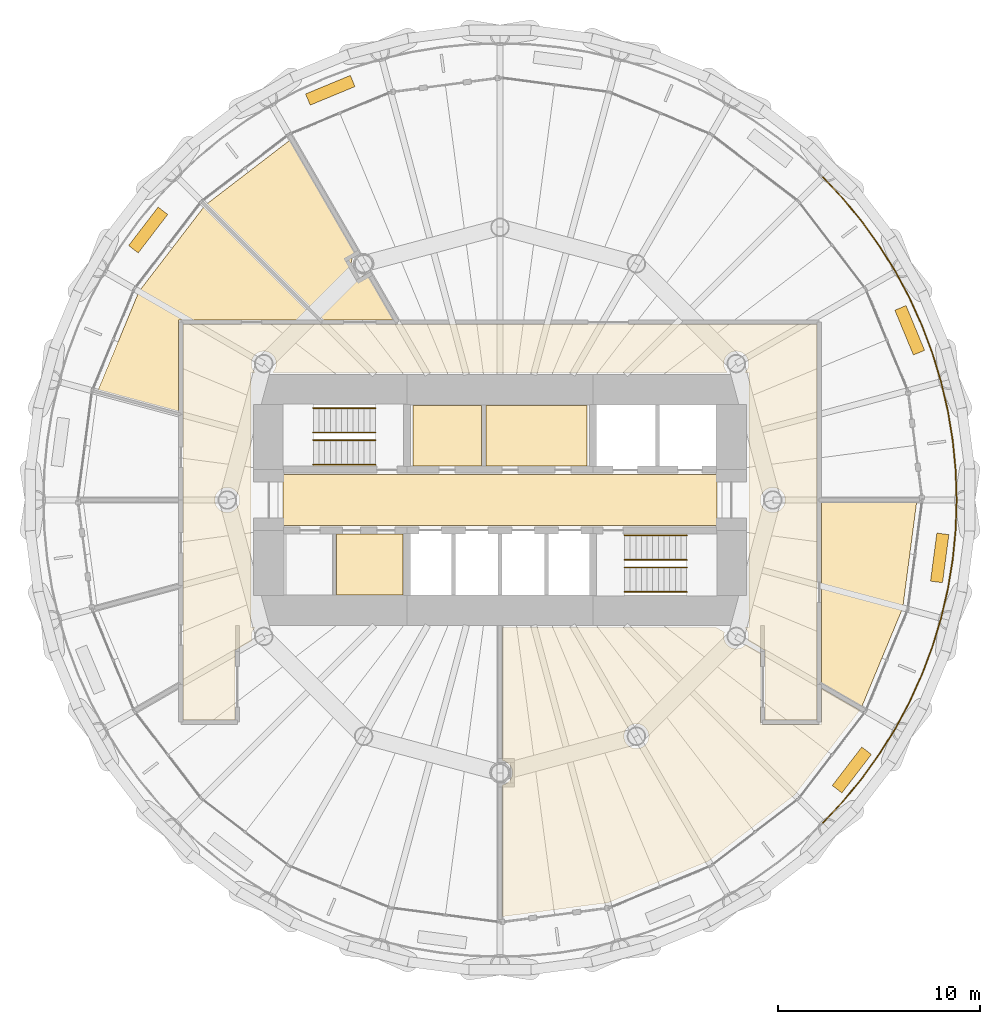
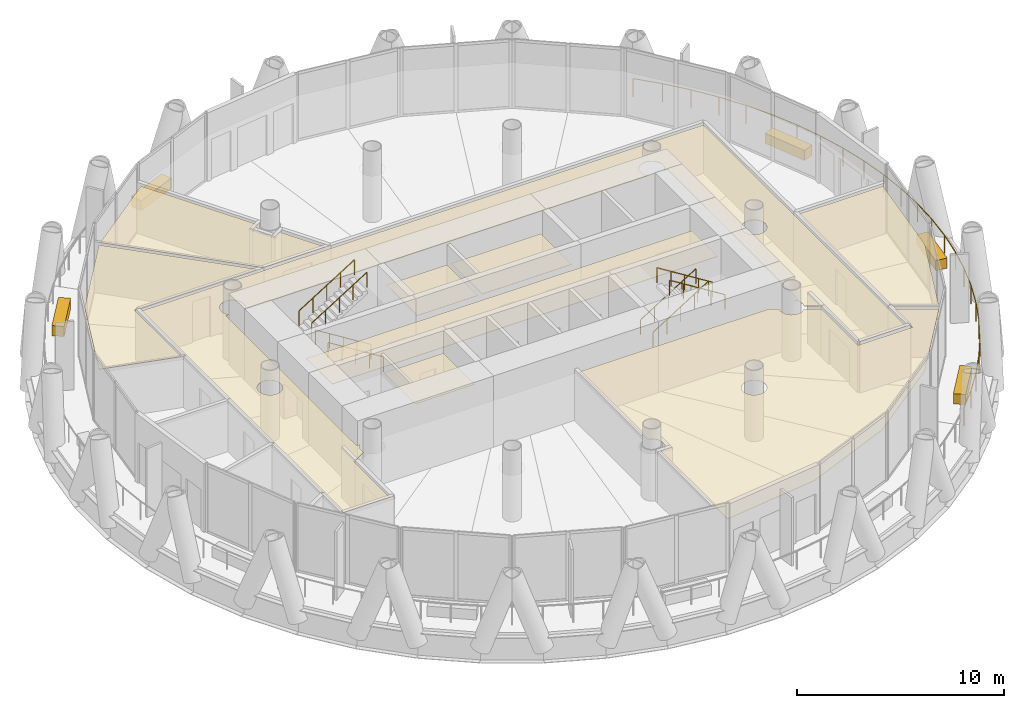
# One storey, part 13 of 14: 14 coverings, 9 railings.
"""IFC4 building model written with IfcOpenShell, lengths in metres."""

from ifc_helpers import new_model, si_unit, direction, frame, origin, origin_2d, place, context, subcontext, project, spatial, polyline, rectangle, circle, outline, extrude, material, layer, layer_set, type_object, element, save


model = new_model("IFC4")

# Units and contexts
model_context = context("Model", 3, precision=1e-05, world=origin(), true_north=direction((0.0, 1.0)))
body_context = subcontext(model_context, "Body", "Model", "MODEL_VIEW")
ifc_project = project(units=[si_unit("LENGTHUNIT", "METRE"), si_unit("AREAUNIT", "SQUARE_METRE"), si_unit("VOLUMEUNIT", "CUBIC_METRE"), si_unit("PLANEANGLEUNIT", "RADIAN"), si_unit("MASSUNIT", "GRAM", prefix="KILO")], contexts=[model_context])

# Site, building, storey
site_placement = place(None, origin())
site = spatial("IfcSite", under=ifc_project, at=site_placement, CompositionType="ELEMENT")
building_placement = place(site_placement, origin())
building = spatial("IfcBuilding", under=site, at=building_placement, Name="Qaws Media Tower", CompositionType="ELEMENT")
storey_placement = place(building_placement, frame((0.0, 0.0, 206.60009765625)))
storey = spatial("IfcBuildingStorey", under=building, at=storey_placement, Name="L47", CompositionType="ELEMENT", Elevation=206.60009765625)

# Covering
ifc_material_1 = material(Name="40 perforated acoustic panels with mineral wool backing, suspended", Category="mineral fibre")
ifc_layer_1 = layer(ifc_material_1, 0.0400390625)
ifc_layer_set_1 = layer_set([ifc_layer_1], Name="Acoustic panel ceiling 40")
covering_type_1 = type_object("IfcCoveringType", Name="Acoustic panel ceiling 40", PredefinedType="CEILING", material=ifc_layer_set_1)
covering_1_placement = place(storey_placement, frame((0.0, 0.0, 2.849853515625)))
element("IfcCovering", 1, at=covering_1_placement, inside=storey, type_object=covering_type_1, Name="CL3 ceiling L47-04 Meeting room", PredefinedType="CEILING", context=body_context, shape_type="SweptSolid", body=[
    extrude(outline(polyline([(42.12939453125, 60.317626953125), (45.339599609375, 64.501220703125), (50.928466796875, 58.91259765625), (44.08740234375, 58.91259765625), (44.08740234375, 54.380126953125), (40.111328125, 55.445556640625), (42.12939453125, 60.317626953125)])), origin(), (0.0, 0.0, 1.0), 0.0400390625),
])

# Railing
ifc_material_2 = material(Name="Stainless steel and glass guard", Category="steel")
railing_type_1 = type_object("IfcRailingType", Name="Balcony guard 1100", PredefinedType="GUARDRAIL", material=ifc_material_2)
railing_placement = place(storey_placement, frame((75.980712890625, 34.019287109375, 0.0)))
element("IfcRailing", 2, at=railing_placement, inside=storey, type_object=railing_type_1, Name="GR1 balcony guard L47-4", PredefinedType="GUARDRAIL", context=body_context, shape_type="SweptSolid", body=[
    extrude(circle(Radius=0.02392578125, at=origin_2d()), frame((0.0, 0.0, 1.076171875), z_axis=(0.683534708636, 0.729918010526, 0.0), x_axis=(-0.729918010526, 0.683534708636, 0.0)), (0.0, 0.0, 1.0), 1.47900390625),
    extrude(circle(Radius=0.02392578125, at=origin_2d()), frame((1.010986328125, 1.07958984375, 1.076171875), z_axis=(0.6343520334, 0.773044305148, 0.0), x_axis=(-0.773044305148, 0.6343520334, 0.0)), (0.0, 0.0, 1.0), 1.478759765625),
    extrude(circle(Radius=0.02392578125, at=origin_2d()), frame((1.948974609375, 2.22265625, 1.076171875), z_axis=(0.582533482314, 0.812806706409, 0.0), x_axis=(-0.812806706409, 0.582533482314, 0.0)), (0.0, 0.0, 1.0), 1.47900390625),
    extrude(circle(Radius=0.02392578125, at=origin_2d()), frame((2.810546875, 3.4248046875, 1.076171875), z_axis=(0.528098236808, 0.849183285446, 0.0), x_axis=(-0.849183285446, 0.528098236808, 0.0)), (0.0, 0.0, 1.0), 1.47900390625),
    extrude(circle(Radius=0.02392578125, at=origin_2d()), frame((3.591552734375, 4.6806640625, 1.076171875), z_axis=(0.471282079795, 0.881982540226, 0.0), x_axis=(-0.881982540226, 0.471282079795, 0.0)), (0.0, 0.0, 1.0), 1.47900390625),
    extrude(circle(Radius=0.02392578125, at=origin_2d()), frame((4.28857421875, 5.985107421875, 1.076171875), z_axis=(0.412745358615, 0.910846457391, 0.0), x_axis=(-0.910846457391, 0.412745358615, 0.0)), (0.0, 0.0, 1.0), 1.478759765625),
    extrude(circle(Radius=0.02392578125, at=origin_2d()), frame((4.89892578125, 7.33203125, 1.076171875), z_axis=(0.352299138469, 0.935887448914, 0.0), x_axis=(-0.935887448914, 0.352299138469, 0.0)), (0.0, 0.0, 1.0), 1.478759765625),
    extrude(circle(Radius=0.02392578125, at=origin_2d()), frame((5.419921875, 8.716064453125, 1.076171875), z_axis=(0.290208982449, 0.956963294231, 0.0), x_axis=(-0.956963294231, 0.290208982449, 0.0)), (0.0, 0.0, 1.0), 1.47900390625),
    extrude(circle(Radius=0.02392578125, at=origin_2d()), frame((5.84912109375, 10.13134765625, 1.076171875), z_axis=(0.227125254792, 0.973865554702, 0.0), x_axis=(-0.973865554702, 0.227125254792, 0.0)), (0.0, 0.0, 1.0), 1.47900390625),
    extrude(circle(Radius=0.02392578125, at=origin_2d()), frame((6.18505859375, 11.57177734375, 1.076171875), z_axis=(0.162953075722, 0.986633820175, 0.0), x_axis=(-0.986633820175, 0.162953075722, 0.0)), (0.0, 0.0, 1.0), 1.478759765625),
    extrude(circle(Radius=0.02392578125, at=origin_2d()), frame((6.426025390625, 13.03076171875, 1.076171875), z_axis=(0.097885589811, 0.995197674488, 0.0), x_axis=(-0.995197674488, 0.097885589811, 0.0)), (0.0, 0.0, 1.0), 1.47900390625),
    extrude(circle(Radius=0.02392578125, at=origin_2d()), frame((6.57080078125, 14.502685546875, 1.076171875), z_axis=(0.032853085257, 0.999460191698, 0.0), x_axis=(-0.999460191698, 0.032853085257, 0.0)), (0.0, 0.0, 1.0), 1.478759765625),
    extrude(circle(Radius=0.02392578125, at=origin_2d()), frame((6.619384765625, 15.980712890625, 1.076171875), z_axis=(-0.032853085257, 0.999460191698, 0.0), x_axis=(-0.999460191698, -0.032853085257, 0.0)), (0.0, 0.0, 1.0), 1.478759765625),
    extrude(circle(Radius=0.02392578125, at=origin_2d()), frame((6.57080078125, 17.458740234375, 1.076171875), z_axis=(-0.097885589811, 0.995197674488, 0.0), x_axis=(-0.995197674488, -0.097885589811, 0.0)), (0.0, 0.0, 1.0), 1.47900390625),
    extrude(circle(Radius=0.02392578125, at=origin_2d()), frame((6.426025390625, 18.9306640625, 1.076171875), z_axis=(-0.162953075722, 0.986633820175, 0.0), x_axis=(-0.986633820175, -0.162953075722, 0.0)), (0.0, 0.0, 1.0), 1.478759765625),
    extrude(circle(Radius=0.02392578125, at=origin_2d()), frame((6.18505859375, 20.3896484375, 1.076171875), z_axis=(-0.227125254792, 0.973865554702, 0.0), x_axis=(-0.973865554702, -0.227125254792, 0.0)), (0.0, 0.0, 1.0), 1.47900390625),
    extrude(circle(Radius=0.02392578125, at=origin_2d()), frame((5.84912109375, 21.830078125, 1.076171875), z_axis=(-0.290208982449, 0.956963294231, 0.0), x_axis=(-0.956963294231, -0.290208982449, 0.0)), (0.0, 0.0, 1.0), 1.47900390625),
    extrude(circle(Radius=0.02392578125, at=origin_2d()), frame((5.419921875, 23.245361328125, 1.076171875), z_axis=(-0.352299138469, 0.935887448914, 0.0), x_axis=(-0.935887448914, -0.352299138469, 0.0)), (0.0, 0.0, 1.0), 1.478759765625),
    extrude(circle(Radius=0.02392578125, at=origin_2d()), frame((4.89892578125, 24.62939453125, 1.076171875), z_axis=(-0.412745358615, 0.910846457391, 0.0), x_axis=(-0.910846457391, -0.412745358615, 0.0)), (0.0, 0.0, 1.0), 1.478759765625),
    extrude(circle(Radius=0.02392578125, at=origin_2d()), frame((4.28857421875, 25.976318359375, 1.076171875), z_axis=(-0.471282079795, 0.881982540226, 0.0), x_axis=(-0.881982540226, -0.471282079795, 0.0)), (0.0, 0.0, 1.0), 1.47900390625),
    extrude(circle(Radius=0.02392578125, at=origin_2d()), frame((3.591552734375, 27.28076171875, 1.076171875), z_axis=(-0.528098236808, 0.849183285446, 0.0), x_axis=(-0.849183285446, -0.528098236808, 0.0)), (0.0, 0.0, 1.0), 1.47900390625),
    extrude(circle(Radius=0.02392578125, at=origin_2d()), frame((2.810546875, 28.53662109375, 1.076171875), z_axis=(-0.582533482314, 0.812806706409, 0.0), x_axis=(-0.812806706409, -0.582533482314, 0.0)), (0.0, 0.0, 1.0), 1.47900390625),
    extrude(circle(Radius=0.02392578125, at=origin_2d()), frame((1.948974609375, 29.73876953125, 1.076171875), z_axis=(-0.6343520334, 0.773044305148, 0.0), x_axis=(-0.773044305148, -0.6343520334, 0.0)), (0.0, 0.0, 1.0), 1.478759765625),
    extrude(circle(Radius=0.02392578125, at=origin_2d()), frame((1.010986328125, 30.8818359375, 1.076171875), z_axis=(-0.683534708636, 0.729918010526, 0.0), x_axis=(-0.729918010526, -0.683534708636, 0.0)), (0.0, 0.0, 1.0), 1.47900390625),
    extrude(circle(Radius=0.02099609375, at=origin_2d()), origin(), (0.0, 0.0, 1.0), 1.052001953125),
    extrude(circle(Radius=0.02099609375, at=origin_2d()), frame((1.010986328125, 1.07958984375, 0.0)), (0.0, 0.0, 1.0), 1.052001953125),
    extrude(circle(Radius=0.02099609375, at=origin_2d()), frame((1.948974609375, 2.22265625, 0.0)), (0.0, 0.0, 1.0), 1.052001953125),
    extrude(circle(Radius=0.02099609375, at=origin_2d()), frame((2.810546875, 3.4248046875, 0.0)), (0.0, 0.0, 1.0), 1.052001953125),
    extrude(circle(Radius=0.02099609375, at=origin_2d()), frame((3.591552734375, 4.6806640625, 0.0)), (0.0, 0.0, 1.0), 1.052001953125),
    extrude(circle(Radius=0.02099609375, at=origin_2d()), frame((4.28857421875, 5.985107421875, 0.0)), (0.0, 0.0, 1.0), 1.052001953125),
    extrude(circle(Radius=0.02099609375, at=origin_2d()), frame((4.89892578125, 7.33203125, 0.0)), (0.0, 0.0, 1.0), 1.052001953125),
    extrude(circle(Radius=0.02099609375, at=origin_2d()), frame((5.419921875, 8.716064453125, 0.0)), (0.0, 0.0, 1.0), 1.052001953125),
    extrude(circle(Radius=0.02099609375, at=origin_2d()), frame((5.84912109375, 10.13134765625, 0.0)), (0.0, 0.0, 1.0), 1.052001953125),
    extrude(circle(Radius=0.02099609375, at=origin_2d()), frame((6.18505859375, 11.57177734375, 0.0)), (0.0, 0.0, 1.0), 1.052001953125),
    extrude(circle(Radius=0.02099609375, at=origin_2d()), frame((6.426025390625, 13.03076171875, 0.0)), (0.0, 0.0, 1.0), 1.052001953125),
    extrude(circle(Radius=0.02099609375, at=origin_2d()), frame((6.57080078125, 14.502685546875, 0.0)), (0.0, 0.0, 1.0), 1.052001953125),
    extrude(circle(Radius=0.02099609375, at=origin_2d()), frame((6.619384765625, 15.980712890625, 0.0)), (0.0, 0.0, 1.0), 1.052001953125),
    extrude(circle(Radius=0.02099609375, at=origin_2d()), frame((6.57080078125, 17.458740234375, 0.0)), (0.0, 0.0, 1.0), 1.052001953125),
    extrude(circle(Radius=0.02099609375, at=origin_2d()), frame((6.426025390625, 18.9306640625, 0.0)), (0.0, 0.0, 1.0), 1.052001953125),
    extrude(circle(Radius=0.02099609375, at=origin_2d()), frame((6.18505859375, 20.3896484375, 0.0)), (0.0, 0.0, 1.0), 1.052001953125),
    extrude(circle(Radius=0.02099609375, at=origin_2d()), frame((5.84912109375, 21.830078125, 0.0)), (0.0, 0.0, 1.0), 1.052001953125),
    extrude(circle(Radius=0.02099609375, at=origin_2d()), frame((5.419921875, 23.245361328125, 0.0)), (0.0, 0.0, 1.0), 1.052001953125),
    extrude(circle(Radius=0.02099609375, at=origin_2d()), frame((4.89892578125, 24.62939453125, 0.0)), (0.0, 0.0, 1.0), 1.052001953125),
    extrude(circle(Radius=0.02099609375, at=origin_2d()), frame((4.28857421875, 25.976318359375, 0.0)), (0.0, 0.0, 1.0), 1.052001953125),
    extrude(circle(Radius=0.02099609375, at=origin_2d()), frame((3.591552734375, 27.28076171875, 0.0)), (0.0, 0.0, 1.0), 1.052001953125),
    extrude(circle(Radius=0.02099609375, at=origin_2d()), frame((2.810546875, 28.53662109375, 0.0)), (0.0, 0.0, 1.0), 1.052001953125),
    extrude(circle(Radius=0.02099609375, at=origin_2d()), frame((1.948974609375, 29.73876953125, 0.0)), (0.0, 0.0, 1.0), 1.052001953125),
    extrude(circle(Radius=0.02099609375, at=origin_2d()), frame((1.010986328125, 30.8818359375, 0.0)), (0.0, 0.0, 1.0), 1.052001953125),
    extrude(circle(Radius=0.02099609375, at=origin_2d()), frame((0.0, 31.96142578125, 0.0)), (0.0, 0.0, 1.0), 1.052001953125),
])

# Coverings
ifc_material_3 = material(Name="600 x 600 mineral fibre tiles in exposed grid, suspended", Category="mineral fibre")
ifc_layer_2 = layer(ifc_material_3, 0.02001953125)
ifc_layer_set_2 = layer_set([ifc_layer_2], Name="Mineral fibre tile ceiling 20")
covering_type_2 = type_object("IfcCoveringType", Name="Mineral fibre tile ceiling 20", PredefinedType="CEILING", material=ifc_layer_set_2)
covering_2_placement = place(storey_placement, frame((0.0, 0.0, 2.849853515625)))
element("IfcCovering", 3, at=covering_2_placement, inside=storey, type_object=covering_type_2, Name="CL1 ceiling L47-C07 Ladies toilets", PredefinedType="CEILING", context=body_context, shape_type="SweptSolid", body=[
    extrude(outline(polyline([(55.695068359375, 51.695068359375), (55.695068359375, 54.679931640625), (59.075439453125, 54.679931640625), (59.075439453125, 51.695068359375), (55.695068359375, 51.695068359375)])), origin(), (0.0, 0.0, 1.0), 0.02001953125),
])
covering_3_placement = place(storey_placement, frame((0.0, 0.0, 2.849853515625)))
element("IfcCovering", 4, at=covering_3_placement, inside=storey, type_object=covering_type_2, Name="CL1 ceiling L47-C08 Gents toilets", PredefinedType="CEILING", context=body_context, shape_type="SweptSolid", body=[
    extrude(outline(polyline([(59.3154296875, 51.695068359375), (59.3154296875, 54.679931640625), (64.304931640625, 54.679931640625), (64.304931640625, 51.695068359375), (59.3154296875, 51.695068359375)])), origin(), (0.0, 0.0, 1.0), 0.02001953125),
])
covering_4_placement = place(storey_placement, frame((0.0, 0.0, 2.849853515625)))
element("IfcCovering", 5, at=covering_4_placement, inside=storey, type_object=covering_type_2, Name="CL1 ceiling L47-01 Corridor", PredefinedType="CEILING", context=body_context, shape_type="SweptSolid", body=[
    extrude(outline(polyline([(44.3125, 39.112548828125), (44.3125, 58.6875), (75.6875, 58.6875), (75.6875, 39.112548828125), (73.112548828125, 39.112548828125), (73.112548828125, 42.559326171875), (72.27197265625, 43.044921875), (72.287353515625, 43.09033203125), (72.302978515625, 43.16943359375), (72.308349609375, 43.25), (72.302978515625, 43.33056640625), (72.287353515625, 43.40966796875), (72.261474609375, 43.486083984375), (72.2255859375, 43.55859375), (72.180908203125, 43.62548828125), (72.126220703125, 43.6875), (72.3125, 43.6875), (72.3125, 56.3125), (72.126220703125, 56.3125), (72.180908203125, 56.37451171875), (72.2255859375, 56.44140625), (72.261474609375, 56.513916015625), (72.287353515625, 56.59033203125), (72.302978515625, 56.66943359375), (72.308349609375, 56.75), (72.302978515625, 56.83056640625), (72.287353515625, 56.90966796875), (72.261474609375, 56.986083984375), (72.2255859375, 57.05859375), (72.180908203125, 57.12548828125), (72.127685546875, 57.186279296875), (72.06689453125, 57.239501953125), (71.999755859375, 57.2841796875), (71.927490234375, 57.320068359375), (71.85107421875, 57.345947265625), (71.77197265625, 57.36181640625), (71.69140625, 57.366943359375), (71.61083984375, 57.36181640625), (71.53173828125, 57.345947265625), (71.455078125, 57.320068359375), (71.3828125, 57.2841796875), (71.315673828125, 57.239501953125), (71.255126953125, 57.186279296875), (71.201904296875, 57.12548828125), (71.156982421875, 57.05859375), (71.121337890625, 56.986083984375), (71.095458984375, 56.90966796875), (71.07958984375, 56.83056640625), (71.07421875, 56.75), (71.07958984375, 56.66943359375), (71.095458984375, 56.59033203125), (71.121337890625, 56.513916015625), (71.156982421875, 56.44140625), (71.201904296875, 56.37451171875), (71.25634765625, 56.3125), (48.74365234375, 56.3125), (48.798095703125, 56.37451171875), (48.843017578125, 56.44140625), (48.878662109375, 56.513916015625), (48.904541015625, 56.59033203125), (48.92041015625, 56.66943359375), (48.92578125, 56.75), (48.92041015625, 56.83056640625), (48.904541015625, 56.90966796875), (48.878662109375, 56.986083984375), (48.843017578125, 57.05859375), (48.798095703125, 57.12548828125), (48.744873046875, 57.186279296875), (48.684326171875, 57.239501953125), (48.6171875, 57.2841796875), (48.544921875, 57.320068359375), (48.46826171875, 57.345947265625), (48.38916015625, 57.36181640625), (48.30859375, 57.366943359375), (48.22802734375, 57.36181640625), (48.14892578125, 57.345947265625), (48.072509765625, 57.320068359375), (48.000244140625, 57.2841796875), (47.93310546875, 57.239501953125), (47.872314453125, 57.186279296875), (47.819091796875, 57.12548828125), (47.7744140625, 57.05859375), (47.738525390625, 56.986083984375), (47.712646484375, 56.90966796875), (47.697021484375, 56.83056640625), (47.691650390625, 56.75), (47.697021484375, 56.66943359375), (47.712646484375, 56.59033203125), (47.738525390625, 56.513916015625), (47.7744140625, 56.44140625), (47.819091796875, 56.37451171875), (47.873779296875, 56.3125), (47.6875, 56.3125), (47.6875, 43.6875), (47.873779296875, 43.6875), (47.819091796875, 43.62548828125), (47.7744140625, 43.55859375), (47.738525390625, 43.486083984375), (47.712646484375, 43.40966796875), (47.697021484375, 43.33056640625), (47.691650390625, 43.25), (47.697021484375, 43.16943359375), (47.712646484375, 43.09033203125), (47.72802734375, 43.044921875), (46.887451171875, 42.559326171875), (46.887451171875, 39.112548828125), (44.3125, 39.112548828125)]), holes=[polyline([(47.070068359375, 49.763916015625), (47.095947265625, 49.84033203125), (47.11181640625, 49.91943359375), (47.116943359375, 50.0), (47.11181640625, 50.08056640625), (47.095947265625, 50.15966796875), (47.070068359375, 50.236083984375), (47.0341796875, 50.30859375), (46.989501953125, 50.37548828125), (46.936279296875, 50.436279296875), (46.87548828125, 50.489501953125), (46.80859375, 50.5341796875), (46.736083984375, 50.570068359375), (46.65966796875, 50.595947265625), (46.58056640625, 50.61181640625), (46.5, 50.616943359375), (46.41943359375, 50.61181640625), (46.34033203125, 50.595947265625), (46.263916015625, 50.570068359375), (46.19140625, 50.5341796875), (46.12451171875, 50.489501953125), (46.063720703125, 50.436279296875), (46.010498046875, 50.37548828125), (45.9658203125, 50.30859375), (45.929931640625, 50.236083984375), (45.904052734375, 50.15966796875), (45.88818359375, 50.08056640625), (45.883056640625, 50.0), (45.88818359375, 49.91943359375), (45.904052734375, 49.84033203125), (45.929931640625, 49.763916015625), (45.9658203125, 49.69140625), (46.010498046875, 49.62451171875), (46.063720703125, 49.563720703125), (46.12451171875, 49.510498046875), (46.19140625, 49.4658203125), (46.263916015625, 49.429931640625), (46.34033203125, 49.404052734375), (46.41943359375, 49.38818359375), (46.5, 49.383056640625), (46.58056640625, 49.38818359375), (46.65966796875, 49.404052734375), (46.736083984375, 49.429931640625), (46.80859375, 49.4658203125), (46.87548828125, 49.510498046875), (46.936279296875, 49.563720703125), (46.989501953125, 49.62451171875), (47.0341796875, 49.69140625), (47.070068359375, 49.763916015625)]), polyline([(74.095947265625, 49.84033203125), (74.11181640625, 49.91943359375), (74.116943359375, 50.0), (74.11181640625, 50.08056640625), (74.095947265625, 50.15966796875), (74.070068359375, 50.236083984375), (74.0341796875, 50.30859375), (73.989501953125, 50.37548828125), (73.936279296875, 50.436279296875), (73.87548828125, 50.489501953125), (73.80859375, 50.5341796875), (73.736083984375, 50.570068359375), (73.65966796875, 50.595947265625), (73.58056640625, 50.61181640625), (73.5, 50.616943359375), (73.41943359375, 50.61181640625), (73.34033203125, 50.595947265625), (73.263916015625, 50.570068359375), (73.19140625, 50.5341796875), (73.12451171875, 50.489501953125), (73.063720703125, 50.436279296875), (73.010498046875, 50.37548828125), (72.9658203125, 50.30859375), (72.929931640625, 50.236083984375), (72.904052734375, 50.15966796875), (72.88818359375, 50.08056640625), (72.883056640625, 50.0), (72.88818359375, 49.91943359375), (72.904052734375, 49.84033203125), (72.929931640625, 49.763916015625), (72.9658203125, 49.69140625), (73.010498046875, 49.62451171875), (73.063720703125, 49.563720703125), (73.12451171875, 49.510498046875), (73.19140625, 49.4658203125), (73.263916015625, 49.429931640625), (73.34033203125, 49.404052734375), (73.41943359375, 49.38818359375), (73.5, 49.383056640625), (73.58056640625, 49.38818359375), (73.65966796875, 49.404052734375), (73.736083984375, 49.429931640625), (73.80859375, 49.4658203125), (73.87548828125, 49.510498046875), (73.936279296875, 49.563720703125), (73.989501953125, 49.62451171875), (74.0341796875, 49.69140625), (74.070068359375, 49.763916015625), (74.095947265625, 49.84033203125)])]), origin(), (0.0, 0.0, 1.0), 0.02001953125),
])
covering_5_placement = place(storey_placement, frame((0.0, 0.0, 2.849853515625)))
element("IfcCovering", 6, at=covering_5_placement, inside=storey, type_object=covering_type_2, Name="CL1 ceiling L47-09 Tenant studio office", PredefinedType="CEILING", context=body_context, shape_type="SweptSolid", body=[
    extrude(outline(polyline([(72.887451171875, 38.887451171875), (75.91259765625, 38.887451171875), (75.91259765625, 40.68310546875), (77.801513671875, 39.59228515625), (74.59130859375, 35.40869140625), (70.317626953125, 32.12939453125), (65.3408203125, 30.06787109375), (60.112548828125, 29.379638671875), (60.112548828125, 35.89453125), (60.15966796875, 35.904052734375), (60.236083984375, 35.929931640625), (60.30859375, 35.9658203125), (60.37548828125, 36.010498046875), (60.436279296875, 36.063720703125), (60.489501953125, 36.12451171875), (60.5341796875, 36.19140625), (60.570068359375, 36.263916015625), (60.595947265625, 36.34033203125), (60.61181640625, 36.41943359375), (60.616943359375, 36.5), (60.61181640625, 36.58056640625), (60.595947265625, 36.65966796875), (60.570068359375, 36.736083984375), (60.5341796875, 36.80859375), (60.489501953125, 36.87548828125), (60.436279296875, 36.936279296875), (60.37548828125, 36.989501953125), (60.30859375, 37.0341796875), (60.236083984375, 37.070068359375), (60.15966796875, 37.095947265625), (60.112548828125, 37.10546875), (60.112548828125, 43.6875), (70.70849609375, 43.6875), (71.11083984375, 43.455322265625), (71.095458984375, 43.40966796875), (71.07958984375, 43.33056640625), (71.07421875, 43.25), (71.07958984375, 43.16943359375), (71.095458984375, 43.09033203125), (71.121337890625, 43.013916015625), (71.156982421875, 42.94140625), (71.201904296875, 42.87451171875), (71.255126953125, 42.813720703125), (71.315673828125, 42.760498046875), (71.3828125, 42.7158203125), (71.455078125, 42.679931640625), (71.53173828125, 42.654052734375), (71.61083984375, 42.63818359375), (71.69140625, 42.633056640625), (71.77197265625, 42.63818359375), (71.85107421875, 42.654052734375), (71.927490234375, 42.679931640625), (71.999755859375, 42.7158203125), (72.06689453125, 42.760498046875), (72.127685546875, 42.813720703125), (72.159423828125, 42.849853515625), (72.887451171875, 42.429443359375), (72.887451171875, 38.887451171875)]), holes=[polyline([(67.320068359375, 38.072509765625), (67.345947265625, 38.14892578125), (67.36181640625, 38.22802734375), (67.366943359375, 38.30859375), (67.36181640625, 38.38916015625), (67.345947265625, 38.46826171875), (67.320068359375, 38.544921875), (67.2841796875, 38.6171875), (67.239501953125, 38.684326171875), (67.186279296875, 38.744873046875), (67.12548828125, 38.798095703125), (67.05859375, 38.843017578125), (66.986083984375, 38.878662109375), (66.90966796875, 38.904541015625), (66.83056640625, 38.92041015625), (66.75, 38.92578125), (66.66943359375, 38.92041015625), (66.59033203125, 38.904541015625), (66.513916015625, 38.878662109375), (66.44140625, 38.843017578125), (66.37451171875, 38.798095703125), (66.313720703125, 38.744873046875), (66.260498046875, 38.684326171875), (66.2158203125, 38.6171875), (66.179931640625, 38.544921875), (66.154052734375, 38.46826171875), (66.13818359375, 38.38916015625), (66.133056640625, 38.30859375), (66.13818359375, 38.22802734375), (66.154052734375, 38.14892578125), (66.179931640625, 38.072509765625), (66.2158203125, 38.000244140625), (66.260498046875, 37.93310546875), (66.313720703125, 37.872314453125), (66.37451171875, 37.819091796875), (66.44140625, 37.7744140625), (66.513916015625, 37.738525390625), (66.59033203125, 37.712646484375), (66.66943359375, 37.697021484375), (66.75, 37.691650390625), (66.83056640625, 37.697021484375), (66.90966796875, 37.712646484375), (66.986083984375, 37.738525390625), (67.05859375, 37.7744140625), (67.12548828125, 37.819091796875), (67.186279296875, 37.872314453125), (67.239501953125, 37.93310546875), (67.2841796875, 38.000244140625), (67.320068359375, 38.072509765625)])]), origin(), (0.0, 0.0, 1.0), 0.02001953125),
])
covering_6_placement = place(storey_placement, frame((0.0, 0.0, 2.849853515625)))
element("IfcCovering", 7, at=covering_6_placement, inside=storey, type_object=covering_type_2, Name="CL1 ceiling L47-10 Tenant studio office", PredefinedType="CEILING", context=body_context, shape_type="SweptSolid", body=[
    extrude(outline(polyline([(79.93212890625, 44.6591796875), (77.9140625, 39.787109375), (75.91259765625, 40.94287109375), (75.91259765625, 49.887451171875), (80.620361328125, 49.887451171875), (79.93212890625, 44.6591796875)])), origin(), (0.0, 0.0, 1.0), 0.02001953125),
])
covering_7_placement = place(storey_placement, frame((0.0, 0.0, 2.849853515625)))
element("IfcCovering", 8, at=covering_7_placement, inside=storey, type_object=covering_type_2, Name="CL1 ceiling L47-C05 First aid room", PredefinedType="CEILING", context=body_context, shape_type="SweptSolid", body=[
    extrude(outline(polyline([(51.89990234375, 45.300048828125), (51.89990234375, 48.324951171875), (55.199951171875, 48.324951171875), (55.199951171875, 45.300048828125), (51.89990234375, 45.300048828125)])), origin(), (0.0, 0.0, 1.0), 0.02001953125),
])
ifc_material_4 = material(Name="Precast concrete planter with trailing planting", Category="concrete")
ifc_layer_3 = layer(ifc_material_4, 0.60009765625)
ifc_layer_set_3 = layer_set([ifc_layer_3], Name="Planter 2400x600")
covering_type_3 = type_object("IfcCoveringType", Name="Planter 2400x600", PredefinedType="USERDEFINED", material=ifc_layer_set_3)
for number, where, z_axis, x_axis, name in (
    (9, (80.279052734375, 58.39990234375, -0.000244140625), (0.0, 0.0, 1.0), (-0.382683432365, 0.923879532511, 0.0), "PL1 balcony planter L47-01"),
    (10, (51.60009765625, 70.279052734375, -0.000244140625), (0.0, 0.0, 1.0), (-0.923879532511, -0.382683432365, 0.0), "PL1 balcony planter L47-04"),
    (11, (42.5859375, 63.3623046875, -0.000244140625), (0.0, 0.0, 1.0), (-0.608761429009, -0.793353340291, 0.0), "PL1 balcony planter L47-05"),
    (12, (77.4140625, 36.6376953125, -0.000244140625), (0.0, 0.0, 1.0), (0.608761429009, 0.793353340291, 0.0), "PL1 balcony planter L47-11"),
    (13, (81.76220703125, 47.135009765625, -0.000244140625), (0.0, 0.0, 1.0), (0.13052619222, 0.991444861374, 0.0), "PL1 balcony planter L47-12"),
):
    element("IfcCovering", number, at=place(storey_placement, frame(where, z_axis=z_axis, x_axis=x_axis)), inside=storey, type_object=covering_type_3, Name=name, ObjectType="PLANTER", PredefinedType="USERDEFINED", context=body_context, shape_type="SweptSolid", body=[
        extrude(rectangle(XDim=2.39990234375, YDim=0.60009765625, at=origin_2d()), origin(), (0.0, 0.0, 1.0), 0.60009765625),
    ])
ifc_material_5 = material(Name="Two layers 12.5 moisture-resistant plasterboard on suspended metal furring", Category="gypsum")
ifc_layer_4 = layer(ifc_material_5, 0.02490234375)
ifc_layer_set_4 = layer_set([ifc_layer_4], Name="Plasterboard ceiling 25")
covering_type_4 = type_object("IfcCoveringType", Name="Plasterboard ceiling 25", PredefinedType="CEILING", material=ifc_layer_set_4)
covering_8_placement = place(storey_placement, frame((0.0, 0.0, 2.849853515625)))
element("IfcCovering", 14, at=covering_8_placement, inside=storey, type_object=covering_type_4, Name="CL2 ceiling L47-C01 Lift lobby", PredefinedType="CEILING", context=body_context, shape_type="SweptSolid", body=[
    extrude(outline(polyline([(49.25, 48.75), (49.25, 51.25), (70.75, 51.25), (70.75, 48.75), (49.25, 48.75)])), origin(), (0.0, 0.0, 1.0), 0.025146484375),
])
covering_9_placement = place(storey_placement, frame((0.0, 0.0, 2.849853515625)))
element("IfcCovering", 15, at=covering_9_placement, inside=storey, type_object=covering_type_4, Name="CL2 ceiling L47-03 Tenant reception", PredefinedType="CEILING", context=body_context, shape_type="SweptSolid", body=[
    extrude(outline(polyline([(49.59228515625, 67.801513671875), (52.849853515625, 62.159423828125), (52.813720703125, 62.127685546875), (52.760498046875, 62.06689453125), (52.7158203125, 61.999755859375), (52.679931640625, 61.927490234375), (52.654052734375, 61.85107421875), (52.63818359375, 61.77197265625), (52.633056640625, 61.69140625), (52.63818359375, 61.61083984375), (52.654052734375, 61.53173828125), (52.679931640625, 61.455078125), (52.7158203125, 61.3828125), (52.760498046875, 61.315673828125), (52.813720703125, 61.255126953125), (52.87451171875, 61.201904296875), (52.94140625, 61.156982421875), (53.013916015625, 61.121337890625), (53.09033203125, 61.095458984375), (53.16943359375, 61.07958984375), (53.25, 61.07421875), (53.33056640625, 61.07958984375), (53.40966796875, 61.095458984375), (53.455322265625, 61.11083984375), (54.724609375, 58.91259765625), (51.24658203125, 58.91259765625), (45.498779296875, 64.660400390625), (49.59228515625, 67.801513671875)])), origin(), (0.0, 0.0, 1.0), 0.025146484375),
])

# Railings
ifc_material_6 = material(Name="Steel tube handrail", Category="steel")
railing_type_2 = type_object("IfcRailingType", Name="Stair handrail 900", PredefinedType="HANDRAIL", material=ifc_material_6)
for number, where, name in (
    (16, (53.840087890625, 51.75, 0.1748046875), "HR1 handrail S1 flight 1 L47"),
    (17, (53.840087890625, 52.9599609375, 0.1748046875), "HR1 handrail S1 flight 1 L47"),
):
    element("IfcRailing", number, at=place(storey_placement, frame(where)), inside=storey, type_object=railing_type_2, Name=name, PredefinedType="HANDRAIL", context=body_context, shape_type="SweptSolid", body=[
        extrude(circle(Radius=0.02392578125, at=origin_2d()), frame((0.0, 0.0, 0.8759765625), z_axis=(-0.847998304005, 0.0, 0.529998940003), x_axis=(0.0, -1.0, 0.0)), (0.0, 0.0, 1.0), 3.632080078125),
        extrude(circle(Radius=0.02099609375, at=origin_2d()), origin(), (0.0, 0.0, 1.0), 0.851806640625),
        extrude(circle(Radius=0.02099609375, at=origin_2d()), frame((-0.77001953125, 0.0, 0.481201171875)), (0.0, 0.0, 1.0), 0.851806640625),
        extrude(circle(Radius=0.02099609375, at=origin_2d()), frame((-1.5400390625, 0.0, 0.96240234375)), (0.0, 0.0, 1.0), 0.851806640625),
        extrude(circle(Radius=0.02099609375, at=origin_2d()), frame((-2.31005859375, 0.0, 1.44384765625)), (0.0, 0.0, 1.0), 0.851806640625),
        extrude(circle(Radius=0.02099609375, at=origin_2d()), frame((-3.080078125, 0.0, 1.925048828125)), (0.0, 0.0, 1.0), 0.851806640625),
    ])
for number, where, name in (
    (18, (50.760009765625, 54.550048828125, 2.27490234375), "HR1 handrail S1 flight 2 L47"),
    (19, (50.760009765625, 53.340087890625, 2.27490234375), "HR1 handrail S1 flight 2 L47"),
    (20, (66.159912109375, 48.25, 0.1748046875), "HR1 handrail S2 flight 1 L47"),
    (21, (66.159912109375, 47.0400390625, 0.1748046875), "HR1 handrail S2 flight 1 L47"),
):
    element("IfcRailing", number, at=place(storey_placement, frame(where)), inside=storey, type_object=railing_type_2, Name=name, PredefinedType="HANDRAIL", context=body_context, shape_type="SweptSolid", body=[
        extrude(circle(Radius=0.02392578125, at=origin_2d()), frame((0.0, 0.0, 0.8759765625), z_axis=(0.847998304005, 0.0, 0.529998940003), x_axis=(0.0, 1.0, 0.0)), (0.0, 0.0, 1.0), 3.632080078125),
        extrude(circle(Radius=0.02099609375, at=origin_2d()), origin(), (0.0, 0.0, 1.0), 0.851806640625),
        extrude(circle(Radius=0.02099609375, at=origin_2d()), frame((0.77001953125, 0.0, 0.481201171875)), (0.0, 0.0, 1.0), 0.851806640625),
        extrude(circle(Radius=0.02099609375, at=origin_2d()), frame((1.5400390625, 0.0, 0.96240234375)), (0.0, 0.0, 1.0), 0.851806640625),
        extrude(circle(Radius=0.02099609375, at=origin_2d()), frame((2.31005859375, 0.0, 1.44384765625)), (0.0, 0.0, 1.0), 0.851806640625),
        extrude(circle(Radius=0.02099609375, at=origin_2d()), frame((3.080078125, 0.0, 1.925048828125)), (0.0, 0.0, 1.0), 0.851806640625),
    ])
for number, where, name in (
    (22, (69.239990234375, 45.449951171875, 2.27490234375), "HR1 handrail S2 flight 2 L47"),
    (23, (69.239990234375, 46.659912109375, 2.27490234375), "HR1 handrail S2 flight 2 L47"),
):
    element("IfcRailing", number, at=place(storey_placement, frame(where)), inside=storey, type_object=railing_type_2, Name=name, PredefinedType="HANDRAIL", context=body_context, shape_type="SweptSolid", body=[
        extrude(circle(Radius=0.02392578125, at=origin_2d()), frame((0.0, 0.0, 0.8759765625), z_axis=(-0.847998304005, 0.0, 0.529998940003), x_axis=(0.0, -1.0, 0.0)), (0.0, 0.0, 1.0), 3.632080078125),
        extrude(circle(Radius=0.02099609375, at=origin_2d()), origin(), (0.0, 0.0, 1.0), 0.851806640625),
        extrude(circle(Radius=0.02099609375, at=origin_2d()), frame((-0.77001953125, 0.0, 0.481201171875)), (0.0, 0.0, 1.0), 0.851806640625),
        extrude(circle(Radius=0.02099609375, at=origin_2d()), frame((-1.5400390625, 0.0, 0.96240234375)), (0.0, 0.0, 1.0), 0.851806640625),
        extrude(circle(Radius=0.02099609375, at=origin_2d()), frame((-2.31005859375, 0.0, 1.44384765625)), (0.0, 0.0, 1.0), 0.851806640625),
        extrude(circle(Radius=0.02099609375, at=origin_2d()), frame((-3.080078125, 0.0, 1.925048828125)), (0.0, 0.0, 1.0), 0.851806640625),
    ])

save(model, "model.ifc")
